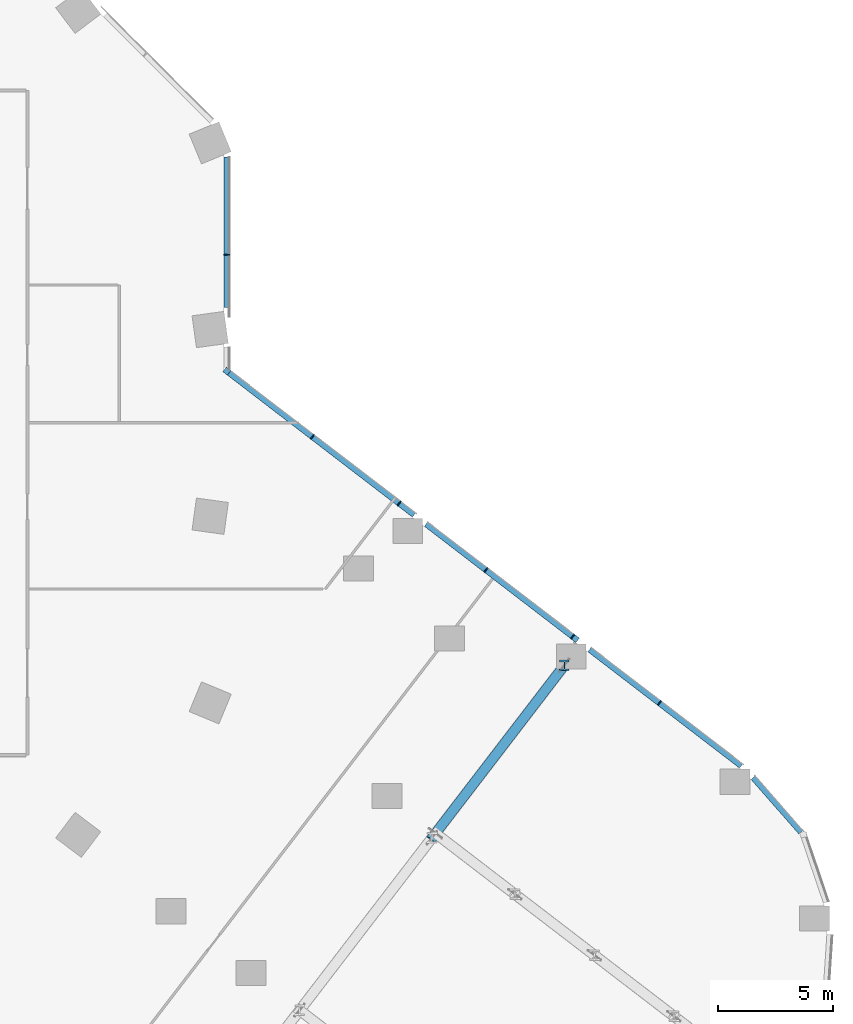
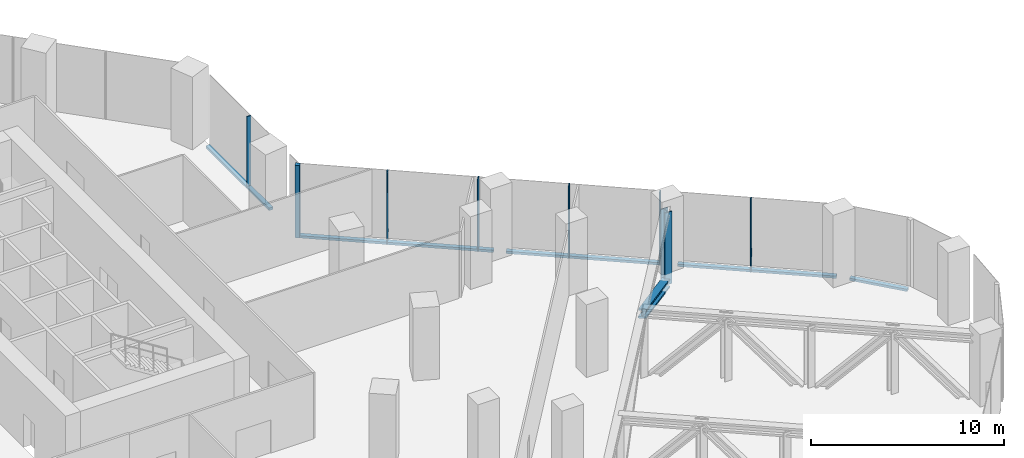
# One storey, part 10 of 30: 14 members, 3 elements without a shape of their own.
"""IFC4 building model written with IfcOpenShell, lengths in metres."""

from ifc_helpers import new_model, si_unit, direction, frame, origin, origin_2d, place, context, subcontext, project, spatial, rectangle, i_section, extrude, material, material_profile, profile_set, type_object, element, aggregate, save


model = new_model("IFC4")

# Units and contexts
model_context = context("Model", 3, precision=1e-05, world=origin(), true_north=direction((0.0, 1.0)))
body_context = subcontext(model_context, "Body", "Model", "MODEL_VIEW")
ifc_project = project(units=[si_unit("LENGTHUNIT", "METRE"), si_unit("AREAUNIT", "SQUARE_METRE"), si_unit("VOLUMEUNIT", "CUBIC_METRE"), si_unit("PLANEANGLEUNIT", "RADIAN"), si_unit("MASSUNIT", "GRAM", prefix="KILO")], contexts=[model_context])

# Site, building, storey
site_placement = place(None, origin())
site = spatial("IfcSite", under=ifc_project, at=site_placement, CompositionType="ELEMENT")
building_placement = place(site_placement, origin())
building = spatial("IfcBuilding", under=site, at=building_placement, Name="Orlundy Tower", CompositionType="ELEMENT")
storey_placement = place(building_placement, frame((0.0, 0.0, 20.5)))
storey = spatial("IfcBuildingStorey", under=building, at=storey_placement, Name="L03", CompositionType="ELEMENT", Elevation=20.5)

# Curtain wall, member
ifc_material_1 = material(Name="Aluminium bronze anodised", Category="aluminium")
curtain_wall_type = type_object("IfcCurtainWallType", Name="CW2 wall", PredefinedType="NOTDEFINED", material=ifc_material_1)
curtain_wall_1_placement = place(storey_placement, origin())
curtain_wall_1 = element("IfcCurtainWall", 1, at=curtain_wall_1_placement, inside=storey, type_object=curtain_wall_type, Name="CW2 run 018", PredefinedType="NOTDEFINED")
ifc_material_2 = material(Name="Aluminium bronze anodised", Category="aluminium")
ifc_material_profile_1 = material_profile(ifc_material_2, rectangle(XDim=0.25, YDim=0.25, at=origin_2d()), Name="CW2 corner post 250x250")
ifc_profile_set_1 = profile_set([ifc_material_profile_1], Name="Aluminium bronze anodised")
member_type_1 = type_object("IfcMemberType", Name="CW2 corner post 250x250", PredefinedType="MULLION", material=ifc_profile_set_1)
member_1_placement = place(storey_placement, frame((30.125, 2.251708984375, -0.39990234375), z_axis=(0.0, 0.0, 1.0), x_axis=(0.608778774146, 0.793340030598, 0.0)))
member_1 = element("IfcMember", 2, at=member_1_placement, type_object=member_type_1, Name="CW2 mullion 51", PredefinedType="MULLION", context=body_context, shape_type="SweptSolid", body=[
    extrude(rectangle(XDim=0.25, YDim=0.25, at=origin_2d()), origin(), (0.0, 0.0, 1.0), 4.579833984375),
])

curtain_wall_2_placement = place(storey_placement, origin())
curtain_wall_2 = element("IfcCurtainWall", 3, at=curtain_wall_2_placement, inside=storey, type_object=curtain_wall_type, Name="CW2 run 017", PredefinedType="NOTDEFINED")
ifc_material_3 = material(Name="Aluminium bronze anodised", Category="aluminium")
ifc_material_profile_2 = material_profile(ifc_material_3, rectangle(XDim=0.25, YDim=0.050048828125, at=origin_2d()), Name="CW2 mullion 50x250")
ifc_profile_set_2 = profile_set([ifc_material_profile_2], Name="Aluminium bronze anodised")
member_type_2 = type_object("IfcMemberType", Name="CW2 mullion 50x250", PredefinedType="MULLION", material=ifc_profile_set_2)
member_2_placement = place(storey_placement, frame((30.125, 7.30810546875, -0.39990234375), z_axis=(0.0, 0.0, 1.0), x_axis=(1.0, 0.0, 0.0)))
member_2 = element("IfcMember", 4, at=member_2_placement, type_object=member_type_2, Name="CW2 mullion 50", PredefinedType="MULLION", context=body_context, shape_type="SweptSolid", body=[
    extrude(rectangle(XDim=0.25, YDim=0.050048828125, at=origin_2d()), origin(), (0.0, 0.0, 1.0), 4.579833984375),
])

# Member
member_3_placement = place(storey_placement, frame((33.848876953125, -0.605712890625, -0.39990234375), z_axis=(0.0, 0.0, 1.0), x_axis=(0.608778774146, 0.793340030598, 0.0)))
member_3 = element("IfcMember", 5, at=member_3_placement, type_object=member_type_2, Name="CW2 mullion 52", PredefinedType="MULLION", context=body_context, shape_type="SweptSolid", body=[
    extrude(rectangle(XDim=0.25, YDim=0.050048828125, at=origin_2d()), origin(), (0.0, 0.0, 1.0), 4.579833984375),
])

member_4_placement = place(storey_placement, frame((37.621337890625, -3.500732421875, -0.39990234375), z_axis=(0.0, 0.0, 1.0), x_axis=(0.608778774146, 0.793340030598, 0.0)))
member_4 = element("IfcMember", 6, at=member_4_placement, type_object=member_type_2, Name="CW2 mullion 53", PredefinedType="MULLION", context=body_context, shape_type="SweptSolid", body=[
    extrude(rectangle(XDim=0.25, YDim=0.050048828125, at=origin_2d()), origin(), (0.0, 0.0, 1.0), 4.579833984375),
])

member_5_placement = place(storey_placement, frame((41.39404296875, -6.395751953125, -0.39990234375), z_axis=(0.0, 0.0, 1.0), x_axis=(0.608778774146, 0.793340030598, 0.0)))
member_5 = element("IfcMember", 7, at=member_5_placement, type_object=member_type_2, Name="CW2 mullion 54", PredefinedType="MULLION", context=body_context, shape_type="SweptSolid", body=[
    extrude(rectangle(XDim=0.25, YDim=0.050048828125, at=origin_2d()), origin(), (0.0, 0.0, 1.0), 4.579833984375),
])

member_6_placement = place(storey_placement, frame((45.166748046875, -9.290771484375, -0.39990234375), z_axis=(0.0, 0.0, 1.0), x_axis=(0.608778774146, 0.793340030598, 0.0)))
member_6 = element("IfcMember", 8, at=member_6_placement, type_object=member_type_2, Name="CW2 mullion 55", PredefinedType="MULLION", context=body_context, shape_type="SweptSolid", body=[
    extrude(rectangle(XDim=0.25, YDim=0.050048828125, at=origin_2d()), origin(), (0.0, 0.0, 1.0), 4.579833984375),
])

member_7_placement = place(storey_placement, frame((48.939453125, -12.185791015625, -0.39990234375), z_axis=(0.0, 0.0, 1.0), x_axis=(0.608778774146, 0.793340030598, 0.0)))
member_7 = element("IfcMember", 9, at=member_7_placement, type_object=member_type_2, Name="CW2 mullion 56", PredefinedType="MULLION", context=body_context, shape_type="SweptSolid", body=[
    extrude(rectangle(XDim=0.25, YDim=0.050048828125, at=origin_2d()), origin(), (0.0, 0.0, 1.0), 4.579833984375),
])

ifc_material_4 = material(Name="Aluminium bronze anodised", Category="aluminium")
ifc_material_profile_3 = material_profile(ifc_material_4, rectangle(XDim=0.25, YDim=0.14990234375, at=origin_2d()), Name="CW2 transom 250x150")
ifc_profile_set_3 = profile_set([ifc_material_profile_3], Name="Aluminium bronze anodised")
member_type_3 = type_object("IfcMemberType", Name="CW2 transom 250x150", PredefinedType="USERDEFINED", material=ifc_profile_set_3)
member_8_placement = place(storey_placement, frame((30.125, 11.558349609375, -0.324951171875), z_axis=(0.0, -1.0, 0.0), x_axis=(1.0, 0.0, 0.0)))
member_8 = element("IfcMember", 10, at=member_8_placement, type_object=member_type_3, Name="CW2 transom", ObjectType="TRANSOM", PredefinedType="USERDEFINED", context=body_context, shape_type="SweptSolid", body=[
    extrude(rectangle(XDim=0.25, YDim=0.14990234375, at=origin_2d()), origin(), (0.0, 0.0, 1.0), 6.541259765625),
])

aggregate(curtain_wall_2, [member_2, member_8])

member_9_placement = place(storey_placement, frame((30.22412109375, 2.175537109375, -0.324951171875), z_axis=(0.793338529659, -0.608780730115, 0.0), x_axis=(0.608780730115, 0.793338529659, 0.0)))
member_9 = element("IfcMember", 11, at=member_9_placement, type_object=member_type_3, Name="CW2 transom", ObjectType="TRANSOM", PredefinedType="USERDEFINED", context=body_context, shape_type="SweptSolid", body=[
    extrude(rectangle(XDim=0.25, YDim=0.14990234375, at=origin_2d()), origin(), (0.0, 0.0, 1.0), 10.140869140625),
])

member_10_placement = place(storey_placement, frame((38.791015625, -4.398193359375, -0.324951171875), z_axis=(0.793330115925, -0.608791694396, 0.0), x_axis=(0.608791694396, 0.793330115925, 0.0)))
member_10 = element("IfcMember", 12, at=member_10_placement, type_object=member_type_3, Name="CW2 transom", ObjectType="TRANSOM", PredefinedType="USERDEFINED", context=body_context, shape_type="SweptSolid", body=[
    extrude(rectangle(XDim=0.25, YDim=0.14990234375, at=origin_2d()), origin(), (0.0, 0.0, 1.0), 8.3095703125),
])

member_11_placement = place(storey_placement, frame((45.904052734375, -9.8564453125, -0.324951171875), z_axis=(0.793333416806, -0.60878739292, 0.0), x_axis=(0.60878739292, 0.793333416806, 0.0)))
member_11 = element("IfcMember", 13, at=member_11_placement, type_object=member_type_3, Name="CW2 transom", ObjectType="TRANSOM", PredefinedType="USERDEFINED", context=body_context, shape_type="SweptSolid", body=[
    extrude(rectangle(XDim=0.25, YDim=0.14990234375, at=origin_2d()), origin(), (0.0, 0.0, 1.0), 8.309326171875),
])

aggregate(curtain_wall_1, [member_1, member_3, member_4, member_5, member_6, member_7, member_9, member_10, member_11])

# Curtain wall, member
curtain_wall_3_placement = place(storey_placement, origin())
curtain_wall_3 = element("IfcCurtainWall", 14, at=curtain_wall_3_placement, inside=storey, type_object=curtain_wall_type, Name="CW2 run 019", PredefinedType="NOTDEFINED")
member_12_placement = place(storey_placement, frame((53.01806640625, -15.426025390625, -0.324951171875), z_axis=(0.659302964392, -0.751877384381, 0.0), x_axis=(0.751877384381, 0.659302964392, 0.0)))
member_12 = element("IfcMember", 15, at=member_12_placement, type_object=member_type_3, Name="CW2 transom", ObjectType="TRANSOM", PredefinedType="USERDEFINED", context=body_context, shape_type="SweptSolid", body=[
    extrude(rectangle(XDim=0.25, YDim=0.14990234375, at=origin_2d()), origin(), (0.0, 0.0, 1.0), 3.159423828125),
])
aggregate(curtain_wall_3, [member_12])

# Members
ifc_material_5 = material(Name="Steel ASTM A992 Gr 50", Category="steel")
ifc_material_profile_4 = material_profile(ifc_material_5, i_section(OverallWidth=0.43212890625, OverallDepth=0.497802734375, WebThickness=0.0556640625, FlangeThickness=0.0888671875, at=origin_2d()), Name="W14X500")
ifc_profile_set_4 = profile_set([ifc_material_profile_4], Name="Steel ASTM A992 Gr 50")
member_type_4 = type_object("IfcMemberType", Name="TRANSFER TRUSS diagonal W14X500", PredefinedType="BRACE", material=ifc_profile_set_4)
member_13_placement = place(storey_placement, frame((39.04833984375, -18.048828125, 3.895263671875), z_axis=(0.547849959673, 0.71394821219, -0.436048589031), x_axis=(-0.793343557508, 0.608774177968, 0.0)))
element("IfcMember", 16, at=member_13_placement, inside=storey, type_object=member_type_4, Name="Transfer truss diagonal TT-1-3", PredefinedType="BRACE", context=body_context, shape_type="SweptSolid", body=[
    extrude(i_section(OverallWidth=0.43212890625, OverallDepth=0.497802734375, WebThickness=0.0556640625, FlangeThickness=0.0888671875, at=origin_2d()), origin(), (0.0, 0.0, 1.0), 10.503662109375),
])
ifc_material_6 = material(Name="Steel ASTM A992 Gr 50", Category="steel")
ifc_material_profile_5 = material_profile(ifc_material_6, i_section(OverallWidth=0.41845703125, OverallDepth=0.455078125, WebThickness=0.0419921875, FlangeThickness=0.067626953125, at=origin_2d()), Name="W14X370")
ifc_profile_set_5 = profile_set([ifc_material_profile_5], Name="Steel ASTM A992 Gr 50")
member_type_5 = type_object("IfcMemberType", Name="TRANSFER TRUSS post W14X370", PredefinedType="POST", material=ifc_profile_set_5)
member_14_placement = place(storey_placement, frame((44.802734375, -10.5498046875, -0.684814453125), z_axis=(0.0, 0.0, 1.0), x_axis=(1.0, 0.0, 0.0)))
element("IfcMember", 17, at=member_14_placement, inside=storey, type_object=member_type_5, Name="Transfer truss post TT-1-4", PredefinedType="POST", context=body_context, shape_type="SweptSolid", body=[
    extrude(i_section(OverallWidth=0.41845703125, OverallDepth=0.455078125, WebThickness=0.0419921875, FlangeThickness=0.067626953125, at=origin_2d()), origin(), (0.0, 0.0, 1.0), 4.580078125),
])

save(model, "model.ifc")
